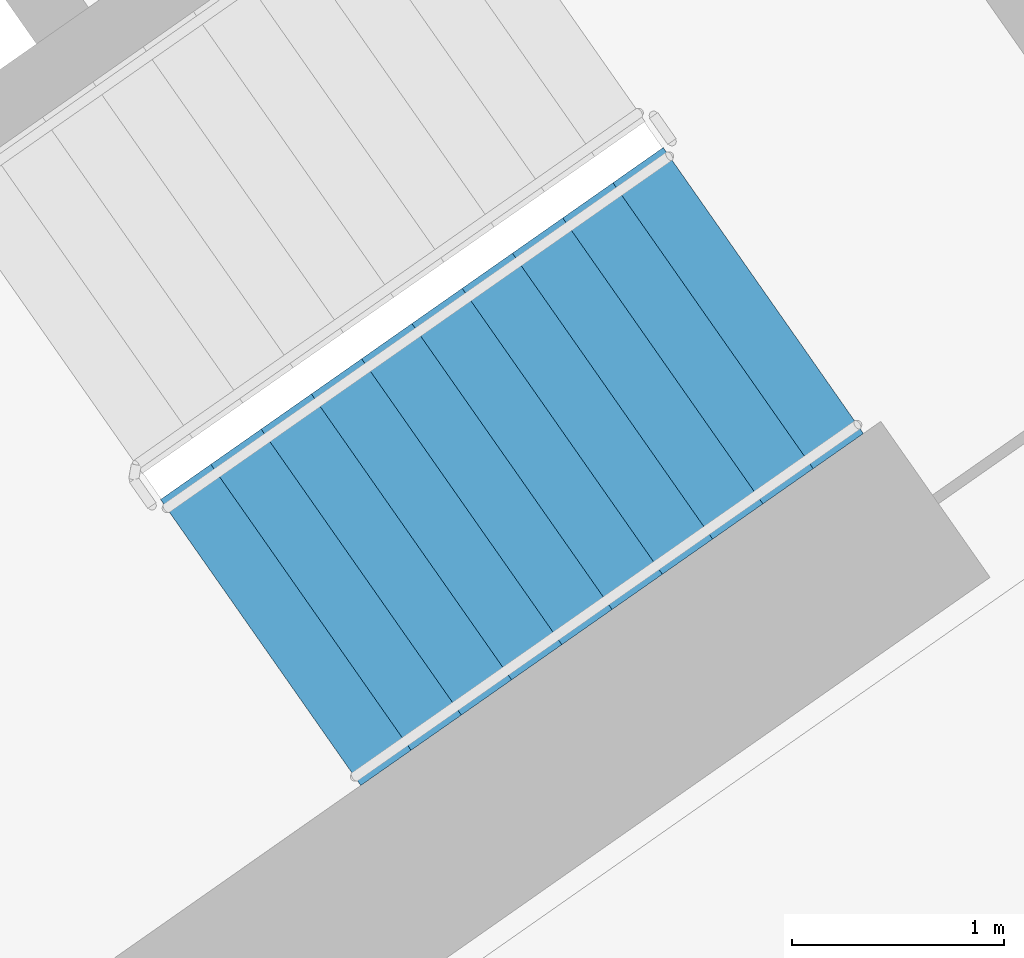
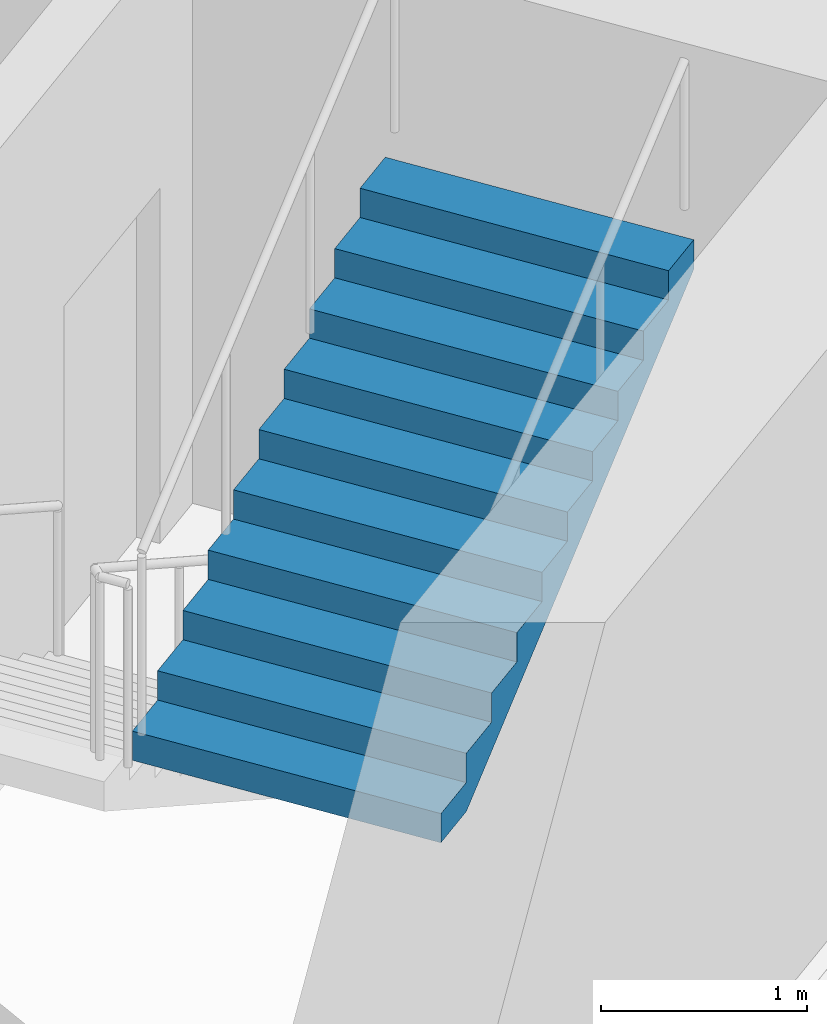
# One storey, part 14 of 35: 1 stair flight, 1 element without a shape of its own.
"""IFC4 building model written with IfcOpenShell, lengths in metres."""

from ifc_helpers import new_model, si_unit, direction, frame, origin, place, context, subcontext, project, spatial, faceted_brep, material, type_object, element, aggregate, save


model = new_model("IFC4")

# Units and contexts
model_context = context("Model", 3, precision=1e-05, world=origin(), true_north=direction((0.0, 1.0)))
body_context = subcontext(model_context, "Body", "Model", "MODEL_VIEW")
ifc_project = project(units=[si_unit("LENGTHUNIT", "METRE"), si_unit("AREAUNIT", "SQUARE_METRE"), si_unit("VOLUMEUNIT", "CUBIC_METRE"), si_unit("PLANEANGLEUNIT", "RADIAN"), si_unit("MASSUNIT", "GRAM", prefix="KILO")], contexts=[model_context])

# Site, building, storey
site_placement = place(None, origin())
site = spatial("IfcSite", under=ifc_project, at=site_placement, CompositionType="ELEMENT")
building_placement = place(site_placement, origin())
building = spatial("IfcBuilding", under=site, at=building_placement, Name="Qamariyya Broadcast Tower", CompositionType="ELEMENT")
storey_placement = place(building_placement, frame((0.0, 0.0, 40.5)))
storey = spatial("IfcBuildingStorey", under=building, at=storey_placement, Name="L06", CompositionType="ELEMENT", Elevation=40.5)

# Stair, stair flight
ifc_material = material(Name="Concrete C50/60", Category="concrete")
stair_type = type_object("IfcStairType", Name="Exit stair 22 risers of 173 mm", PredefinedType="HALF_TURN_STAIR", material=ifc_material)
stair_placement = place(storey_placement, origin())
stair = element("IfcStair", 1, at=stair_placement, inside=storey, type_object=stair_type, Name="L06 Stair E1", PredefinedType="HALF_TURN_STAIR")
stair_flight_type = type_object("IfcStairFlightType", Name="Exit stair flight 11 risers of 173 mm", PredefinedType="STRAIGHT", material=ifc_material)
stair_flight_placement = place(storey_placement, frame((44.693359375, -58.64599609375, 1.89990234375), z_axis=(0.0, 0.0, 1.0), x_axis=(0.819152044289, 0.573576436351, 0.0)))
stair_flight = element("IfcStairFlight", 2, at=stair_flight_placement, type_object=stair_flight_type, Name="ST-E1 flight 2", NumberOfRisers=11, NumberOfTreads=10, PredefinedType="STRAIGHT", RiserHeight=0.172727273, TreadLength=0.29, context=body_context, shape_type="Brep", body=[
    faceted_brep([(0.0, 0.824951171875, 0.0), (0.0, 0.824951171875, 0.172607421875), (0.2900390625, 0.824951171875, 0.172607421875), (0.2900390625, 0.824951171875, 0.345458984375), (0.580078125, 0.824951171875, 0.345458984375), (0.580078125, 0.824951171875, 0.51806640625), (0.8701171875, 0.824951171875, 0.51806640625), (0.8701171875, 0.824951171875, 0.69091796875), (1.159912109375, 0.824951171875, 0.69091796875), (1.159912109375, 0.824951171875, 0.863525390625), (1.449951171875, 0.824951171875, 0.863525390625), (1.449951171875, 0.824951171875, 1.036376953125), (1.739990234375, 0.824951171875, 1.036376953125), (1.739990234375, 0.824951171875, 1.208984375), (2.030029296875, 0.824951171875, 1.208984375), (2.030029296875, 0.824951171875, 1.3818359375), (2.320068359375, 0.824951171875, 1.3818359375), (2.320068359375, 0.824951171875, 1.554443359375), (2.610107421875, 0.824951171875, 1.554443359375), (2.610107421875, 0.824951171875, 1.727294921875), (2.89990234375, 0.824951171875, 1.727294921875), (2.89990234375, 0.824951171875, 1.552734375), (0.29296875, 0.824951171875, 0.0), (0.29296875, -0.824951171875, 0.0), (2.89990234375, -0.824951171875, 1.552734375), (2.89990234375, -0.824951171875, 1.727294921875), (2.610107421875, -0.824951171875, 1.727294921875), (2.610107421875, -0.824951171875, 1.554443359375), (2.320068359375, -0.824951171875, 1.554443359375), (2.320068359375, -0.824951171875, 1.3818359375), (2.030029296875, -0.824951171875, 1.3818359375), (2.030029296875, -0.824951171875, 1.208984375), (1.739990234375, -0.824951171875, 1.208984375), (1.739990234375, -0.824951171875, 1.036376953125), (1.449951171875, -0.824951171875, 1.036376953125), (1.449951171875, -0.824951171875, 0.863525390625), (1.159912109375, -0.824951171875, 0.863525390625), (1.159912109375, -0.824951171875, 0.69091796875), (0.8701171875, -0.824951171875, 0.69091796875), (0.8701171875, -0.824951171875, 0.51806640625), (0.580078125, -0.824951171875, 0.51806640625), (0.580078125, -0.824951171875, 0.345458984375), (0.2900390625, -0.824951171875, 0.345458984375), (0.2900390625, -0.824951171875, 0.172607421875), (0.0, -0.824951171875, 0.172607421875), (0.0, -0.824951171875, 0.0), (0.0, 0.10009765625, 0.0), (0.0, 0.086669921875, 0.0), (0.0, 0.0732421875, 0.0), (0.0, 0.06005859375, 0.0), (0.0, 0.046630859375, 0.0), (0.0, 0.033447265625, 0.0), (0.0, 0.02001953125, 0.0), (0.0, 0.006591796875, 0.0), (0.0, -0.006591796875, 0.0), (0.0, -0.02001953125, 0.0), (0.0, -0.033447265625, 0.0), (0.0, -0.046630859375, 0.0), (0.0, -0.06005859375, 0.0), (0.0, -0.0732421875, 0.0), (0.0, -0.086669921875, 0.0), (0.0, -0.10009765625, 0.0), (0.0, -0.10009765625, 0.172607421875), (0.0, -0.086669921875, 0.172607421875), (0.0, -0.0732421875, 0.172607421875), (0.0, -0.06005859375, 0.172607421875), (0.0, -0.046630859375, 0.172607421875), (0.0, -0.033447265625, 0.172607421875), (0.0, -0.02001953125, 0.172607421875), (0.0, -0.006591796875, 0.172607421875), (0.0, 0.006591796875, 0.172607421875), (0.0, 0.02001953125, 0.172607421875), (0.0, 0.033447265625, 0.172607421875), (0.0, 0.046630859375, 0.172607421875), (0.0, 0.06005859375, 0.172607421875), (0.0, 0.0732421875, 0.172607421875), (0.0, 0.086669921875, 0.172607421875), (0.0, 0.10009765625, 0.172607421875), (0.2900390625, -0.10009765625, 0.172607421875), (0.2900390625, -0.086669921875, 0.172607421875), (0.2900390625, -0.0732421875, 0.172607421875), (0.2900390625, -0.06005859375, 0.172607421875), (0.2900390625, -0.046630859375, 0.172607421875), (0.2900390625, -0.033447265625, 0.172607421875), (0.2900390625, -0.02001953125, 0.172607421875), (0.2900390625, -0.006591796875, 0.172607421875), (0.2900390625, 0.006591796875, 0.172607421875), (0.2900390625, 0.02001953125, 0.172607421875), (0.2900390625, 0.033447265625, 0.172607421875), (0.2900390625, 0.046630859375, 0.172607421875), (0.2900390625, 0.06005859375, 0.172607421875), (0.2900390625, 0.0732421875, 0.172607421875), (0.2900390625, 0.086669921875, 0.172607421875), (0.2900390625, 0.10009765625, 0.172607421875), (0.2900390625, -0.10009765625, 0.345458984375), (0.2900390625, -0.086669921875, 0.345458984375), (0.2900390625, -0.0732421875, 0.345458984375), (0.2900390625, -0.06005859375, 0.345458984375), (0.2900390625, -0.046630859375, 0.345458984375), (0.2900390625, -0.033447265625, 0.345458984375), (0.2900390625, -0.02001953125, 0.345458984375), (0.2900390625, -0.006591796875, 0.345458984375), (0.2900390625, 0.006591796875, 0.345458984375), (0.2900390625, 0.02001953125, 0.345458984375), (0.2900390625, 0.033447265625, 0.345458984375), (0.2900390625, 0.046630859375, 0.345458984375), (0.2900390625, 0.06005859375, 0.345458984375), (0.2900390625, 0.0732421875, 0.345458984375), (0.2900390625, 0.086669921875, 0.345458984375), (0.2900390625, 0.10009765625, 0.345458984375), (0.580078125, -0.10009765625, 0.345458984375), (0.580078125, -0.086669921875, 0.345458984375), (0.580078125, -0.0732421875, 0.345458984375), (0.580078125, -0.06005859375, 0.345458984375), (0.580078125, -0.046630859375, 0.345458984375), (0.580078125, -0.033447265625, 0.345458984375), (0.580078125, -0.02001953125, 0.345458984375), (0.580078125, -0.006591796875, 0.345458984375), (0.580078125, 0.006591796875, 0.345458984375), (0.580078125, 0.02001953125, 0.345458984375), (0.580078125, 0.033447265625, 0.345458984375), (0.580078125, 0.046630859375, 0.345458984375), (0.580078125, 0.06005859375, 0.345458984375), (0.580078125, 0.0732421875, 0.345458984375), (0.580078125, 0.086669921875, 0.345458984375), (0.580078125, 0.10009765625, 0.345458984375), (0.580078125, -0.10009765625, 0.51806640625), (0.580078125, -0.086669921875, 0.51806640625), (0.580078125, -0.0732421875, 0.51806640625), (0.580078125, -0.06005859375, 0.51806640625), (0.580078125, -0.046630859375, 0.51806640625), (0.580078125, -0.033447265625, 0.51806640625), (0.580078125, -0.02001953125, 0.51806640625), (0.580078125, -0.006591796875, 0.51806640625), (0.580078125, 0.006591796875, 0.51806640625), (0.580078125, 0.02001953125, 0.51806640625), (0.580078125, 0.033447265625, 0.51806640625), (0.580078125, 0.046630859375, 0.51806640625), (0.580078125, 0.06005859375, 0.51806640625), (0.580078125, 0.0732421875, 0.51806640625), (0.580078125, 0.086669921875, 0.51806640625), (0.580078125, 0.10009765625, 0.51806640625), (0.8701171875, -0.10009765625, 0.51806640625), (0.8701171875, -0.086669921875, 0.51806640625), (0.8701171875, -0.0732421875, 0.51806640625), (0.8701171875, -0.06005859375, 0.51806640625), (0.8701171875, -0.046630859375, 0.51806640625), (0.8701171875, -0.033447265625, 0.51806640625), (0.8701171875, -0.02001953125, 0.51806640625), (0.8701171875, -0.006591796875, 0.51806640625), (0.8701171875, 0.006591796875, 0.51806640625), (0.8701171875, 0.02001953125, 0.51806640625), (0.8701171875, 0.033447265625, 0.51806640625), (0.8701171875, 0.046630859375, 0.51806640625), (0.8701171875, 0.06005859375, 0.51806640625), (0.8701171875, 0.0732421875, 0.51806640625), (0.8701171875, 0.086669921875, 0.51806640625), (0.8701171875, 0.10009765625, 0.51806640625), (0.8701171875, -0.10009765625, 0.69091796875), (0.8701171875, -0.086669921875, 0.69091796875), (0.8701171875, -0.0732421875, 0.69091796875), (0.8701171875, -0.06005859375, 0.69091796875), (0.8701171875, -0.046630859375, 0.69091796875), (0.8701171875, -0.033447265625, 0.69091796875), (0.8701171875, -0.02001953125, 0.69091796875), (0.8701171875, -0.006591796875, 0.69091796875), (0.8701171875, 0.006591796875, 0.69091796875), (0.8701171875, 0.02001953125, 0.69091796875), (0.8701171875, 0.033447265625, 0.69091796875), (0.8701171875, 0.046630859375, 0.69091796875), (0.8701171875, 0.06005859375, 0.69091796875), (0.8701171875, 0.0732421875, 0.69091796875), (0.8701171875, 0.086669921875, 0.69091796875), (0.8701171875, 0.10009765625, 0.69091796875), (1.159912109375, -0.10009765625, 0.69091796875), (1.159912109375, -0.086669921875, 0.69091796875), (1.159912109375, -0.0732421875, 0.69091796875), (1.159912109375, -0.06005859375, 0.69091796875), (1.159912109375, -0.046630859375, 0.69091796875), (1.159912109375, -0.033447265625, 0.69091796875), (1.159912109375, -0.02001953125, 0.69091796875), (1.159912109375, -0.006591796875, 0.69091796875), (1.159912109375, 0.006591796875, 0.69091796875), (1.159912109375, 0.02001953125, 0.69091796875), (1.159912109375, 0.033447265625, 0.69091796875), (1.159912109375, 0.046630859375, 0.69091796875), (1.159912109375, 0.06005859375, 0.69091796875), (1.159912109375, 0.0732421875, 0.69091796875), (1.159912109375, 0.086669921875, 0.69091796875), (1.159912109375, 0.10009765625, 0.69091796875), (1.159912109375, -0.10009765625, 0.863525390625), (1.159912109375, -0.086669921875, 0.863525390625), (1.159912109375, -0.0732421875, 0.863525390625), (1.159912109375, -0.06005859375, 0.863525390625), (1.159912109375, -0.046630859375, 0.863525390625), (1.159912109375, -0.033447265625, 0.863525390625), (1.159912109375, -0.02001953125, 0.863525390625), (1.159912109375, -0.006591796875, 0.863525390625), (1.159912109375, 0.006591796875, 0.863525390625), (1.159912109375, 0.02001953125, 0.863525390625), (1.159912109375, 0.033447265625, 0.863525390625), (1.159912109375, 0.046630859375, 0.863525390625), (1.159912109375, 0.06005859375, 0.863525390625), (1.159912109375, 0.0732421875, 0.863525390625), (1.159912109375, 0.086669921875, 0.863525390625), (1.159912109375, 0.10009765625, 0.863525390625), (1.449951171875, -0.10009765625, 0.863525390625), (1.449951171875, -0.086669921875, 0.863525390625), (1.449951171875, -0.0732421875, 0.863525390625), (1.449951171875, -0.06005859375, 0.863525390625), (1.449951171875, -0.046630859375, 0.863525390625), (1.449951171875, -0.033447265625, 0.863525390625), (1.449951171875, -0.02001953125, 0.863525390625), (1.449951171875, -0.006591796875, 0.863525390625), (1.449951171875, 0.006591796875, 0.863525390625), (1.449951171875, 0.02001953125, 0.863525390625), (1.449951171875, 0.033447265625, 0.863525390625), (1.449951171875, 0.046630859375, 0.863525390625), (1.449951171875, 0.06005859375, 0.863525390625), (1.449951171875, 0.0732421875, 0.863525390625), (1.449951171875, 0.086669921875, 0.863525390625), (1.449951171875, 0.10009765625, 0.863525390625), (1.449951171875, -0.10009765625, 1.036376953125), (1.449951171875, -0.086669921875, 1.036376953125), (1.449951171875, -0.0732421875, 1.036376953125), (1.449951171875, -0.06005859375, 1.036376953125), (1.449951171875, -0.046630859375, 1.036376953125), (1.449951171875, -0.033447265625, 1.036376953125), (1.449951171875, -0.02001953125, 1.036376953125), (1.449951171875, -0.006591796875, 1.036376953125), (1.449951171875, 0.006591796875, 1.036376953125), (1.449951171875, 0.02001953125, 1.036376953125), (1.449951171875, 0.033447265625, 1.036376953125), (1.449951171875, 0.046630859375, 1.036376953125), (1.449951171875, 0.06005859375, 1.036376953125), (1.449951171875, 0.0732421875, 1.036376953125), (1.449951171875, 0.086669921875, 1.036376953125), (1.449951171875, 0.10009765625, 1.036376953125), (1.739990234375, -0.10009765625, 1.036376953125), (1.739990234375, -0.086669921875, 1.036376953125), (1.739990234375, -0.0732421875, 1.036376953125), (1.739990234375, -0.06005859375, 1.036376953125), (1.739990234375, -0.046630859375, 1.036376953125), (1.739990234375, -0.033447265625, 1.036376953125), (1.739990234375, -0.02001953125, 1.036376953125), (1.739990234375, -0.006591796875, 1.036376953125), (1.739990234375, 0.006591796875, 1.036376953125), (1.739990234375, 0.02001953125, 1.036376953125), (1.739990234375, 0.033447265625, 1.036376953125), (1.739990234375, 0.046630859375, 1.036376953125), (1.739990234375, 0.06005859375, 1.036376953125), (1.739990234375, 0.0732421875, 1.036376953125), (1.739990234375, 0.086669921875, 1.036376953125), (1.739990234375, 0.10009765625, 1.036376953125), (1.739990234375, -0.10009765625, 1.208984375), (1.739990234375, -0.086669921875, 1.208984375), (1.739990234375, -0.0732421875, 1.208984375), (1.739990234375, -0.06005859375, 1.208984375), (1.739990234375, -0.046630859375, 1.208984375), (1.739990234375, -0.033447265625, 1.208984375), (1.739990234375, -0.02001953125, 1.208984375), (1.739990234375, -0.006591796875, 1.208984375), (1.739990234375, 0.006591796875, 1.208984375), (1.739990234375, 0.02001953125, 1.208984375), (1.739990234375, 0.033447265625, 1.208984375), (1.739990234375, 0.046630859375, 1.208984375), (1.739990234375, 0.06005859375, 1.208984375), (1.739990234375, 0.0732421875, 1.208984375), (1.739990234375, 0.086669921875, 1.208984375), (1.739990234375, 0.10009765625, 1.208984375), (2.030029296875, -0.10009765625, 1.208984375), (2.030029296875, -0.086669921875, 1.208984375), (2.030029296875, -0.0732421875, 1.208984375), (2.030029296875, -0.06005859375, 1.208984375), (2.030029296875, -0.046630859375, 1.208984375), (2.030029296875, -0.033447265625, 1.208984375), (2.030029296875, -0.02001953125, 1.208984375), (2.030029296875, -0.006591796875, 1.208984375), (2.030029296875, 0.006591796875, 1.208984375), (2.030029296875, 0.02001953125, 1.208984375), (2.030029296875, 0.033447265625, 1.208984375), (2.030029296875, 0.046630859375, 1.208984375), (2.030029296875, 0.06005859375, 1.208984375), (2.030029296875, 0.0732421875, 1.208984375), (2.030029296875, 0.086669921875, 1.208984375), (2.030029296875, 0.10009765625, 1.208984375), (2.030029296875, -0.10009765625, 1.3818359375), (2.030029296875, -0.086669921875, 1.3818359375), (2.030029296875, -0.0732421875, 1.3818359375), (2.030029296875, -0.06005859375, 1.3818359375), (2.030029296875, -0.046630859375, 1.3818359375), (2.030029296875, -0.033447265625, 1.3818359375), (2.030029296875, -0.02001953125, 1.3818359375), (2.030029296875, -0.006591796875, 1.3818359375), (2.030029296875, 0.006591796875, 1.3818359375), (2.030029296875, 0.02001953125, 1.3818359375), (2.030029296875, 0.033447265625, 1.3818359375), (2.030029296875, 0.046630859375, 1.3818359375), (2.030029296875, 0.06005859375, 1.3818359375), (2.030029296875, 0.0732421875, 1.3818359375), (2.030029296875, 0.086669921875, 1.3818359375), (2.030029296875, 0.10009765625, 1.3818359375), (2.320068359375, -0.10009765625, 1.3818359375), (2.320068359375, -0.086669921875, 1.3818359375), (2.320068359375, -0.0732421875, 1.3818359375), (2.320068359375, -0.06005859375, 1.3818359375), (2.320068359375, -0.046630859375, 1.3818359375), (2.320068359375, -0.033447265625, 1.3818359375), (2.320068359375, -0.02001953125, 1.3818359375), (2.320068359375, -0.006591796875, 1.3818359375), (2.320068359375, 0.006591796875, 1.3818359375), (2.320068359375, 0.02001953125, 1.3818359375), (2.320068359375, 0.033447265625, 1.3818359375), (2.320068359375, 0.046630859375, 1.3818359375), (2.320068359375, 0.06005859375, 1.3818359375), (2.320068359375, 0.0732421875, 1.3818359375), (2.320068359375, 0.086669921875, 1.3818359375), (2.320068359375, 0.10009765625, 1.3818359375), (2.320068359375, -0.10009765625, 1.554443359375), (2.320068359375, -0.086669921875, 1.554443359375), (2.320068359375, -0.0732421875, 1.554443359375), (2.320068359375, -0.06005859375, 1.554443359375), (2.320068359375, -0.046630859375, 1.554443359375), (2.320068359375, -0.033447265625, 1.554443359375), (2.320068359375, -0.02001953125, 1.554443359375), (2.320068359375, -0.006591796875, 1.554443359375), (2.320068359375, 0.006591796875, 1.554443359375), (2.320068359375, 0.02001953125, 1.554443359375), (2.320068359375, 0.033447265625, 1.554443359375), (2.320068359375, 0.046630859375, 1.554443359375), (2.320068359375, 0.06005859375, 1.554443359375), (2.320068359375, 0.0732421875, 1.554443359375), (2.320068359375, 0.086669921875, 1.554443359375), (2.320068359375, 0.10009765625, 1.554443359375), (2.610107421875, -0.10009765625, 1.554443359375), (2.610107421875, -0.086669921875, 1.554443359375), (2.610107421875, -0.0732421875, 1.554443359375), (2.610107421875, -0.06005859375, 1.554443359375), (2.610107421875, -0.046630859375, 1.554443359375), (2.610107421875, -0.033447265625, 1.554443359375), (2.610107421875, -0.02001953125, 1.554443359375), (2.610107421875, -0.006591796875, 1.554443359375), (2.610107421875, 0.006591796875, 1.554443359375), (2.610107421875, 0.02001953125, 1.554443359375), (2.610107421875, 0.033447265625, 1.554443359375), (2.610107421875, 0.046630859375, 1.554443359375), (2.610107421875, 0.06005859375, 1.554443359375), (2.610107421875, 0.0732421875, 1.554443359375), (2.610107421875, 0.086669921875, 1.554443359375), (2.610107421875, 0.10009765625, 1.554443359375), (2.610107421875, -0.10009765625, 1.727294921875), (2.610107421875, -0.086669921875, 1.727294921875), (2.610107421875, -0.0732421875, 1.727294921875), (2.610107421875, -0.06005859375, 1.727294921875), (2.610107421875, -0.046630859375, 1.727294921875), (2.610107421875, -0.033447265625, 1.727294921875), (2.610107421875, -0.02001953125, 1.727294921875), (2.610107421875, -0.006591796875, 1.727294921875), (2.610107421875, 0.006591796875, 1.727294921875), (2.610107421875, 0.02001953125, 1.727294921875), (2.610107421875, 0.033447265625, 1.727294921875), (2.610107421875, 0.046630859375, 1.727294921875), (2.610107421875, 0.06005859375, 1.727294921875), (2.610107421875, 0.0732421875, 1.727294921875), (2.610107421875, 0.086669921875, 1.727294921875), (2.610107421875, 0.10009765625, 1.727294921875), (2.89990234375, -0.10009765625, 1.727294921875), (2.89990234375, -0.086669921875, 1.727294921875), (2.89990234375, -0.0732421875, 1.727294921875), (2.89990234375, -0.06005859375, 1.727294921875), (2.89990234375, -0.046630859375, 1.727294921875), (2.89990234375, -0.033447265625, 1.727294921875), (2.89990234375, -0.02001953125, 1.727294921875), (2.89990234375, -0.006591796875, 1.727294921875), (2.89990234375, 0.006591796875, 1.727294921875), (2.89990234375, 0.02001953125, 1.727294921875), (2.89990234375, 0.033447265625, 1.727294921875), (2.89990234375, 0.046630859375, 1.727294921875), (2.89990234375, 0.06005859375, 1.727294921875), (2.89990234375, 0.0732421875, 1.727294921875), (2.89990234375, 0.086669921875, 1.727294921875), (2.89990234375, 0.10009765625, 1.727294921875), (2.89990234375, -0.10009765625, 1.552734375), (2.89990234375, -0.086669921875, 1.552734375), (2.89990234375, -0.0732421875, 1.552734375), (2.89990234375, -0.06005859375, 1.552734375), (2.89990234375, -0.046630859375, 1.552734375), (2.89990234375, -0.033447265625, 1.552734375), (2.89990234375, -0.02001953125, 1.552734375), (2.89990234375, -0.006591796875, 1.552734375), (2.89990234375, 0.006591796875, 1.552734375), (2.89990234375, 0.02001953125, 1.552734375), (2.89990234375, 0.033447265625, 1.552734375), (2.89990234375, 0.046630859375, 1.552734375), (2.89990234375, 0.06005859375, 1.552734375), (2.89990234375, 0.0732421875, 1.552734375), (2.89990234375, 0.086669921875, 1.552734375), (2.89990234375, 0.10009765625, 1.552734375), (0.29296875, -0.10009765625, 0.0), (0.29296875, -0.086669921875, 0.0), (0.29296875, -0.0732421875, 0.0), (0.29296875, -0.06005859375, 0.0), (0.29296875, -0.046630859375, 0.0), (0.29296875, -0.033447265625, 0.0), (0.29296875, -0.02001953125, 0.0), (0.29296875, -0.006591796875, 0.0), (0.29296875, 0.006591796875, 0.0), (0.29296875, 0.02001953125, 0.0), (0.29296875, 0.033447265625, 0.0), (0.29296875, 0.046630859375, 0.0), (0.29296875, 0.06005859375, 0.0), (0.29296875, 0.0732421875, 0.0), (0.29296875, 0.086669921875, 0.0), (0.29296875, 0.10009765625, 0.0)], [[[0, 1, 2, 3, 4, 5, 6, 7, 8, 9, 10, 11, 12, 13, 14, 15, 16, 17, 18, 19, 20, 21, 22]], [[23, 24, 25, 26, 27, 28, 29, 30, 31, 32, 33, 34, 35, 36, 37, 38, 39, 40, 41, 42, 43, 44, 45]], [[0, 46, 47, 48, 49, 50, 51, 52, 53, 54, 55, 56, 57, 58, 59, 60, 61, 45, 44, 62, 63, 64, 65, 66, 67, 68, 69, 70, 71, 72, 73, 74, 75, 76, 77, 1]], [[1, 77, 76, 75, 74, 73, 72, 71, 70, 69, 68, 67, 66, 65, 64, 63, 62, 44, 43, 78, 79, 80, 81, 82, 83, 84, 85, 86, 87, 88, 89, 90, 91, 92, 93, 2]], [[2, 93, 92, 91, 90, 89, 88, 87, 86, 85, 84, 83, 82, 81, 80, 79, 78, 43, 42, 94, 95, 96, 97, 98, 99, 100, 101, 102, 103, 104, 105, 106, 107, 108, 109, 3]], [[3, 109, 108, 107, 106, 105, 104, 103, 102, 101, 100, 99, 98, 97, 96, 95, 94, 42, 41, 110, 111, 112, 113, 114, 115, 116, 117, 118, 119, 120, 121, 122, 123, 124, 125, 4]], [[4, 125, 124, 123, 122, 121, 120, 119, 118, 117, 116, 115, 114, 113, 112, 111, 110, 41, 40, 126, 127, 128, 129, 130, 131, 132, 133, 134, 135, 136, 137, 138, 139, 140, 141, 5]], [[5, 141, 140, 139, 138, 137, 136, 135, 134, 133, 132, 131, 130, 129, 128, 127, 126, 40, 39, 142, 143, 144, 145, 146, 147, 148, 149, 150, 151, 152, 153, 154, 155, 156, 157, 6]], [[6, 157, 156, 155, 154, 153, 152, 151, 150, 149, 148, 147, 146, 145, 144, 143, 142, 39, 38, 158, 159, 160, 161, 162, 163, 164, 165, 166, 167, 168, 169, 170, 171, 172, 173, 7]], [[7, 173, 172, 171, 170, 169, 168, 167, 166, 165, 164, 163, 162, 161, 160, 159, 158, 38, 37, 174, 175, 176, 177, 178, 179, 180, 181, 182, 183, 184, 185, 186, 187, 188, 189, 8]], [[8, 189, 188, 187, 186, 185, 184, 183, 182, 181, 180, 179, 178, 177, 176, 175, 174, 37, 36, 190, 191, 192, 193, 194, 195, 196, 197, 198, 199, 200, 201, 202, 203, 204, 205, 9]], [[9, 205, 204, 203, 202, 201, 200, 199, 198, 197, 196, 195, 194, 193, 192, 191, 190, 36, 35, 206, 207, 208, 209, 210, 211, 212, 213, 214, 215, 216, 217, 218, 219, 220, 221, 10]], [[10, 221, 220, 219, 218, 217, 216, 215, 214, 213, 212, 211, 210, 209, 208, 207, 206, 35, 34, 222, 223, 224, 225, 226, 227, 228, 229, 230, 231, 232, 233, 234, 235, 236, 237, 11]], [[11, 237, 236, 235, 234, 233, 232, 231, 230, 229, 228, 227, 226, 225, 224, 223, 222, 34, 33, 238, 239, 240, 241, 242, 243, 244, 245, 246, 247, 248, 249, 250, 251, 252, 253, 12]], [[12, 253, 252, 251, 250, 249, 248, 247, 246, 245, 244, 243, 242, 241, 240, 239, 238, 33, 32, 254, 255, 256, 257, 258, 259, 260, 261, 262, 263, 264, 265, 266, 267, 268, 269, 13]], [[13, 269, 268, 267, 266, 265, 264, 263, 262, 261, 260, 259, 258, 257, 256, 255, 254, 32, 31, 270, 271, 272, 273, 274, 275, 276, 277, 278, 279, 280, 281, 282, 283, 284, 285, 14]], [[14, 285, 284, 283, 282, 281, 280, 279, 278, 277, 276, 275, 274, 273, 272, 271, 270, 31, 30, 286, 287, 288, 289, 290, 291, 292, 293, 294, 295, 296, 297, 298, 299, 300, 301, 15]], [[15, 301, 300, 299, 298, 297, 296, 295, 294, 293, 292, 291, 290, 289, 288, 287, 286, 30, 29, 302, 303, 304, 305, 306, 307, 308, 309, 310, 311, 312, 313, 314, 315, 316, 317, 16]], [[16, 317, 316, 315, 314, 313, 312, 311, 310, 309, 308, 307, 306, 305, 304, 303, 302, 29, 28, 318, 319, 320, 321, 322, 323, 324, 325, 326, 327, 328, 329, 330, 331, 332, 333, 17]], [[17, 333, 332, 331, 330, 329, 328, 327, 326, 325, 324, 323, 322, 321, 320, 319, 318, 28, 27, 334, 335, 336, 337, 338, 339, 340, 341, 342, 343, 344, 345, 346, 347, 348, 349, 18]], [[18, 349, 348, 347, 346, 345, 344, 343, 342, 341, 340, 339, 338, 337, 336, 335, 334, 27, 26, 350, 351, 352, 353, 354, 355, 356, 357, 358, 359, 360, 361, 362, 363, 364, 365, 19]], [[19, 365, 364, 363, 362, 361, 360, 359, 358, 357, 356, 355, 354, 353, 352, 351, 350, 26, 25, 366, 367, 368, 369, 370, 371, 372, 373, 374, 375, 376, 377, 378, 379, 380, 381, 20]], [[20, 381, 380, 379, 378, 377, 376, 375, 374, 373, 372, 371, 370, 369, 368, 367, 366, 25, 24, 382, 383, 384, 385, 386, 387, 388, 389, 390, 391, 392, 393, 394, 395, 396, 397, 21]], [[21, 397, 396, 395, 394, 393, 392, 391, 390, 389, 388, 387, 386, 385, 384, 383, 382, 24, 23, 398, 399, 400, 401, 402, 403, 404, 405, 406, 407, 408, 409, 410, 411, 412, 413, 22]], [[22, 413, 412, 411, 410, 409, 408, 407, 406, 405, 404, 403, 402, 401, 400, 399, 398, 23, 45, 61, 60, 59, 58, 57, 56, 55, 54, 53, 52, 51, 50, 49, 48, 47, 46, 0]]]),
])
aggregate(stair, [stair_flight])

save(model, "model.ifc")
